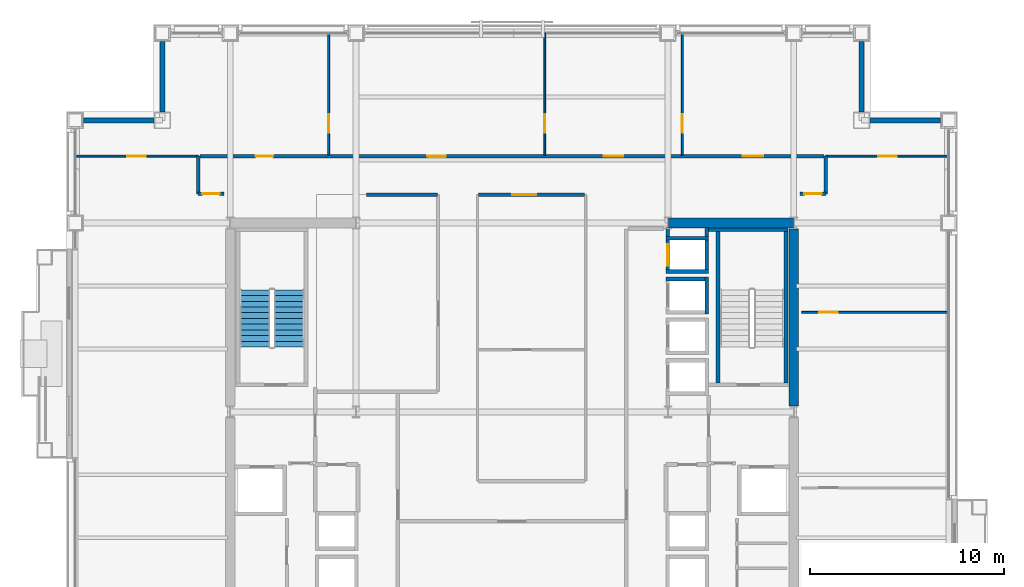
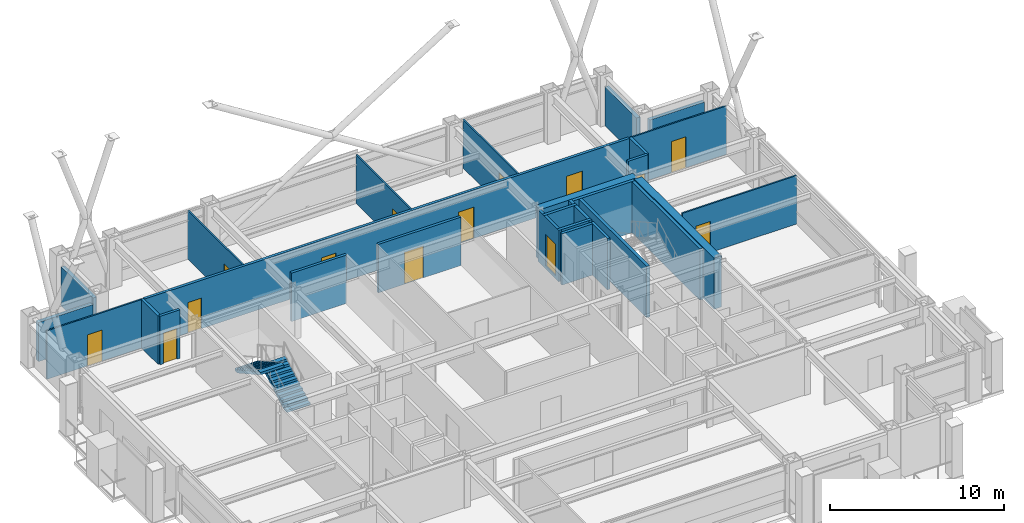
# One storey, part 28 of 32: 28 walls, 14 doors, 2 stair flights, 14 openings, 1 element without a shape of its own.
"""IFC4 building model written with IfcOpenShell, lengths in metres."""

from ifc_helpers import new_model, si_unit, direction, frame, frame_2d, origin, place, context, subcontext, project, spatial, polyline, rectangle, outline, extrude, material, layer, layer_set, type_object, element, fill, aggregate, save


model = new_model("IFC4")

# Units and contexts
model_context = context("Model", 3, precision=1e-05, world=origin(), true_north=direction((0.0, 1.0)))
body_context = subcontext(model_context, "Body", "Model", "MODEL_VIEW")
ifc_project = project(units=[si_unit("LENGTHUNIT", "METRE"), si_unit("AREAUNIT", "SQUARE_METRE"), si_unit("VOLUMEUNIT", "CUBIC_METRE"), si_unit("PLANEANGLEUNIT", "RADIAN"), si_unit("MASSUNIT", "GRAM", prefix="KILO")], contexts=[model_context])

# Site, building, storey
site_placement = place(None, origin())
site = spatial("IfcSite", under=ifc_project, at=site_placement, CompositionType="ELEMENT")
building_placement = place(site_placement, origin())
building = spatial("IfcBuilding", under=site, at=building_placement, Name="Brelmoor Portico Tower", CompositionType="ELEMENT")
storey_placement = place(building_placement, frame((0.0, 0.0, 109.800048828125)))
storey = spatial("IfcBuildingStorey", under=building, at=storey_placement, Name="L28", CompositionType="ELEMENT", Elevation=109.800048828125)

# Walls
ifc_material_1 = material(Name="Concrete C60", Category="concrete")
ifc_layer_1 = layer(ifc_material_1, 0.5)
ifc_layer_set_1 = layer_set([ifc_layer_1], Name="Concrete C60")
wall_type_1 = type_object("IfcWallType", Name="WL-CORE-500", PredefinedType="SHEAR", material=ifc_layer_set_1)
wall_1_placement = place(storey_placement, frame((8.070068359375, 9.75, -0.199951171875), z_axis=(0.0, 0.0, 1.0), x_axis=(1.0, 0.0, 0.0)))
element("IfcWall", 1, at=wall_1_placement, inside=storey, type_object=wall_type_1, Name="L28 EC North Shear Wall", PredefinedType="SHEAR", context=body_context, shape_type="SweptSolid", body=[
    extrude(rectangle(XDim=6.4599609375, YDim=0.5, at=frame_2d((3.22998046875, 0.0))), origin(), (0.0, 0.0, 1.0), 3.599853515625),
])
wall_2_placement = place(storey_placement, frame((14.550048828125, 0.300048828125, -0.199951171875), z_axis=(0.0, 0.0, 1.0), x_axis=(0.0, 1.0, 0.0)))
element("IfcWall", 2, at=wall_2_placement, inside=storey, type_object=wall_type_1, Name="L28 EC Outer North Shear Wall", PredefinedType="SHEAR", context=body_context, shape_type="SweptSolid", body=[
    extrude(rectangle(XDim=9.14990234375, YDim=0.5, at=frame_2d((4.574951171875, 0.0))), origin(), (0.0, 0.0, 1.0), 3.599853515625),
])
ifc_material_2 = material(Name="Precast Concrete C40 Insulated Facade Wall", Category="concrete")
ifc_layer_2 = layer(ifc_material_2, 0.25)
ifc_layer_set_2 = layer_set([ifc_layer_2], Name="Precast Concrete C40 Insulated Facade Wall")
wall_type_2 = type_object("IfcWallType", Name="WL-EXT-250", PredefinedType="STANDARD", material=ifc_layer_set_2)
for number, where, z_axis, x_axis, name in (
    (3, (-22.114990234375, 15.050048828125, 0.0), (0.0, 0.0, 1.0), (1.0, 0.0, 0.0), "L28 Corner Notch Facade Wall NNWH1"),
    (4, (-18.050048828125, 15.485107421875, 0.0), (0.0, 0.0, 1.0), (0.0, 1.0, 0.0), "L28 Corner Notch Facade Wall NNWV1"),
    (5, (18.485107421875, 15.050048828125, 0.0), (0.0, 0.0, 1.0), (1.0, 0.0, 0.0), "L28 Corner Notch Facade Wall NNEH1"),
    (6, (18.050048828125, 15.485107421875, 0.0), (0.0, 0.0, 1.0), (0.0, 1.0, 0.0), "L28 Corner Notch Facade Wall NNEV1"),
):
    element("IfcWall", number, at=place(storey_placement, frame(where, z_axis=z_axis, x_axis=x_axis)), inside=storey, type_object=wall_type_2, Name=name, PredefinedType="STANDARD", context=body_context, shape_type="SweptSolid", body=[
        extrude(rectangle(XDim=3.6298828125, YDim=0.25, at=frame_2d((1.81494140625, 0.0))), origin(), (0.0, 0.0, 1.0), 2.75),
    ])

# Wall, opening, door
ifc_material_3 = material(Name="Demountable Glazed Office Partition", Category="aluminium")
ifc_layer_3 = layer(ifc_material_3, 0.10009765625)
ifc_layer_set_3 = layer_set([ifc_layer_3], Name="Demountable Glazed Office Partition")
wall_type_3 = type_object("IfcWallType", Name="WL-PART-100", PredefinedType="PARTITIONING", material=ifc_layer_set_3)
wall_3_placement = place(storey_placement, frame((-9.469482421875, 13.260009765625, 0.0), z_axis=(0.0, 0.0, 1.0), x_axis=(0.0, 1.0, 0.0)))
wall_3 = element("IfcWall", 7, at=wall_3_placement, inside=storey, type_object=wall_type_3, Name="L28 North Suite Partition 1", PredefinedType="PARTITIONING", context=body_context, shape_type="SweptSolid", body=[
    extrude(rectangle(XDim=6.300048828125, YDim=0.10009765625, at=frame_2d((3.14990234375, 0.0))), origin(), (0.0, 0.0, 1.0), 3.39990234375),
])
opening_1_placement = place(wall_3_placement, frame((1.14990234375, 0.0, 0.0)))
opening_1 = element("IfcOpeningElement", 8, at=opening_1_placement, cuts=wall_3, Name="Opening D-IN2", PredefinedType="OPENING", context=body_context, shape_type="SweptSolid", body=[
    extrude(rectangle(XDim=0.9599609375, YDim=2.179931640625, at=frame_2d((0.47998046875, 1.08984375))), frame((0.0, 0.06005859375, 0.0), z_axis=(0.0, -1.0, 0.0), x_axis=(1.0, 0.0, 0.0)), (0.0, 0.0, 1.0), 0.1201171875),
])
ifc_material_4 = material(Name="Lacquered Timber Suite Door", Category="wood")
door_type_1 = type_object("IfcDoorType", Name="DR-INT-950", OperationType="NOTDEFINED", PredefinedType="DOOR", material=ifc_material_4)
door_1_placement = place(opening_1_placement, origin())
door_1 = element("IfcDoor", 9, at=door_1_placement, inside=storey, type_object=door_type_1, Name="D-1239 L28 North Suite Connecting Door 1", OperationType="SINGLE_SWING_LEFT", OverallHeight=2.179931640625, OverallWidth=0.9599609375, PredefinedType="DOOR", context=body_context, shape_type="SweptSolid", body=[
    extrude(rectangle(XDim=0.9599609375, YDim=2.179931640625, at=frame_2d((0.47998046875, 1.08984375))), frame((0.0, 0.02490234375, 0.0), z_axis=(0.0, -1.0, 0.0), x_axis=(1.0, 0.0, 0.0)), (0.0, 0.0, 1.0), 0.050048828125),
])
fill(opening_1, door_1)

wall_4_placement = place(storey_placement, frame((1.69091796875, 13.260009765625, 0.0), z_axis=(0.0, 0.0, 1.0), x_axis=(0.0, 1.0, 0.0)))
wall_4 = element("IfcWall", 10, at=wall_4_placement, inside=storey, type_object=wall_type_3, Name="L28 North Suite Partition 2", PredefinedType="PARTITIONING", context=body_context, shape_type="SweptSolid", body=[
    extrude(rectangle(XDim=6.300048828125, YDim=0.10009765625, at=frame_2d((3.14990234375, 0.0))), origin(), (0.0, 0.0, 1.0), 3.39990234375),
])
opening_2_placement = place(wall_4_placement, frame((1.14990234375, 0.0, 0.0)))
opening_2 = element("IfcOpeningElement", 11, at=opening_2_placement, cuts=wall_4, Name="Opening D-IN2", PredefinedType="OPENING", context=body_context, shape_type="SweptSolid", body=[
    extrude(rectangle(XDim=0.9599609375, YDim=2.179931640625, at=frame_2d((0.47998046875, 1.08984375))), frame((0.0, 0.06005859375, 0.0), z_axis=(0.0, -1.0, 0.0), x_axis=(1.0, 0.0, 0.0)), (0.0, 0.0, 1.0), 0.1201171875),
])
door_2_placement = place(opening_2_placement, origin())
door_2 = element("IfcDoor", 12, at=door_2_placement, inside=storey, type_object=door_type_1, Name="D-1240 L28 North Suite Connecting Door 2", OperationType="SINGLE_SWING_RIGHT", OverallHeight=2.179931640625, OverallWidth=0.9599609375, PredefinedType="DOOR", context=body_context, shape_type="SweptSolid", body=[
    extrude(rectangle(XDim=0.9599609375, YDim=2.179931640625, at=frame_2d((0.47998046875, 1.08984375))), frame((0.0, 0.02490234375, 0.0), z_axis=(0.0, -1.0, 0.0), x_axis=(1.0, 0.0, 0.0)), (0.0, 0.0, 1.0), 0.050048828125),
])
fill(opening_2, door_2)

wall_5_placement = place(storey_placement, frame((8.793212890625, 13.260009765625, 0.0), z_axis=(0.0, 0.0, 1.0), x_axis=(0.0, 1.0, 0.0)))
wall_5 = element("IfcWall", 13, at=wall_5_placement, inside=storey, type_object=wall_type_3, Name="L28 North Suite Partition 3", PredefinedType="PARTITIONING", context=body_context, shape_type="SweptSolid", body=[
    extrude(rectangle(XDim=6.300048828125, YDim=0.10009765625, at=frame_2d((3.14990234375, 0.0))), origin(), (0.0, 0.0, 1.0), 3.39990234375),
])
opening_3_placement = place(wall_5_placement, frame((1.14990234375, 0.0, 0.0)))
opening_3 = element("IfcOpeningElement", 14, at=opening_3_placement, cuts=wall_5, Name="Opening D-IN2", PredefinedType="OPENING", context=body_context, shape_type="SweptSolid", body=[
    extrude(rectangle(XDim=0.9599609375, YDim=2.179931640625, at=frame_2d((0.47998046875, 1.08984375))), frame((0.0, 0.06005859375, 0.0), z_axis=(0.0, -1.0, 0.0), x_axis=(1.0, 0.0, 0.0)), (0.0, 0.0, 1.0), 0.1201171875),
])
door_3_placement = place(opening_3_placement, origin())
door_3 = element("IfcDoor", 15, at=door_3_placement, inside=storey, type_object=door_type_1, Name="D-1241 L28 North Suite Connecting Door 3", OperationType="SINGLE_SWING_LEFT", OverallHeight=2.179931640625, OverallWidth=0.9599609375, PredefinedType="DOOR", context=body_context, shape_type="SweptSolid", body=[
    extrude(rectangle(XDim=0.9599609375, YDim=2.179931640625, at=frame_2d((0.47998046875, 1.08984375))), frame((0.0, 0.02490234375, 0.0), z_axis=(0.0, -1.0, 0.0), x_axis=(1.0, 0.0, 0.0)), (0.0, 0.0, 1.0), 0.050048828125),
])
fill(opening_3, door_3)

wall_6_placement = place(storey_placement, frame((-22.56005859375, 13.199951171875, 0.0), z_axis=(0.0, 0.0, 1.0), x_axis=(1.0, 0.0, 0.0)))
wall_6 = element("IfcWall", 16, at=wall_6_placement, inside=storey, type_object=wall_type_3, Name="L28 North Wing Closure WL", PredefinedType="PARTITIONING", context=body_context, shape_type="SweptSolid", body=[
    extrude(rectangle(XDim=6.360107421875, YDim=0.10009765625, at=frame_2d((3.18017578125, 0.0))), origin(), (0.0, 0.0, 1.0), 3.39990234375),
])
opening_4_placement = place(wall_6_placement, frame((2.699951171875, 0.0, 0.0)))
opening_4 = element("IfcOpeningElement", 17, at=opening_4_placement, cuts=wall_6, Name="Opening D-IN2", PredefinedType="OPENING", context=body_context, shape_type="SweptSolid", body=[
    extrude(rectangle(XDim=0.9599609375, YDim=2.179931640625, at=frame_2d((0.47998046875, 1.08984375))), frame((0.0, 0.06005859375, 0.0), z_axis=(0.0, -1.0, 0.0), x_axis=(1.0, 0.0, 0.0)), (0.0, 0.0, 1.0), 0.1201171875),
])
door_4_placement = place(opening_4_placement, origin())
door_4 = element("IfcDoor", 18, at=door_4_placement, inside=storey, type_object=door_type_1, Name="D-1243 L28 WL Wing North Suite Door", OperationType="SINGLE_SWING_RIGHT", OverallHeight=2.179931640625, OverallWidth=0.9599609375, PredefinedType="DOOR", context=body_context, shape_type="SweptSolid", body=[
    extrude(rectangle(XDim=0.9599609375, YDim=2.179931640625, at=frame_2d((0.47998046875, 1.08984375))), frame((0.0, 0.02490234375, 0.0), z_axis=(0.0, -1.0, 0.0), x_axis=(1.0, 0.0, 0.0)), (0.0, 0.0, 1.0), 0.050048828125),
])
fill(opening_4, door_4)

wall_7_placement = place(storey_placement, frame((16.199951171875, 13.199951171875, 0.0), z_axis=(0.0, 0.0, 1.0), x_axis=(1.0, 0.0, 0.0)))
wall_7 = element("IfcWall", 19, at=wall_7_placement, inside=storey, type_object=wall_type_3, Name="L28 North Wing Closure ER", PredefinedType="PARTITIONING", context=body_context, shape_type="SweptSolid", body=[
    extrude(rectangle(XDim=6.360107421875, YDim=0.10009765625, at=frame_2d((3.18017578125, 0.0))), origin(), (0.0, 0.0, 1.0), 3.39990234375),
])
opening_5_placement = place(wall_7_placement, frame((2.699951171875, 0.0, 0.0)))
opening_5 = element("IfcOpeningElement", 20, at=opening_5_placement, cuts=wall_7, Name="Opening D-IN2", PredefinedType="OPENING", context=body_context, shape_type="SweptSolid", body=[
    extrude(rectangle(XDim=0.9599609375, YDim=2.179931640625, at=frame_2d((0.47998046875, 1.08984375))), frame((0.0, 0.06005859375, 0.0), z_axis=(0.0, -1.0, 0.0), x_axis=(1.0, 0.0, 0.0)), (0.0, 0.0, 1.0), 0.1201171875),
])
door_5_placement = place(opening_5_placement, origin())
door_5 = element("IfcDoor", 21, at=door_5_placement, inside=storey, type_object=door_type_1, Name="D-1242 L28 ER Wing North Suite Door", OperationType="SINGLE_SWING_LEFT", OverallHeight=2.179931640625, OverallWidth=0.9599609375, PredefinedType="DOOR", context=body_context, shape_type="SweptSolid", body=[
    extrude(rectangle(XDim=0.9599609375, YDim=2.179931640625, at=frame_2d((0.47998046875, 1.08984375))), frame((0.0, 0.02490234375, 0.0), z_axis=(0.0, -1.0, 0.0), x_axis=(1.0, 0.0, 0.0)), (0.0, 0.0, 1.0), 0.050048828125),
])
fill(opening_5, door_5)

wall_8_placement = place(storey_placement, frame((14.9599609375, 5.13427734375, 0.0), z_axis=(0.0, 0.0, 1.0), x_axis=(1.0, 0.0, 0.0)))
wall_8 = element("IfcWall", 22, at=wall_8_placement, inside=storey, type_object=wall_type_3, Name="L28 E Wing Partition 2", PredefinedType="PARTITIONING", context=body_context, shape_type="SweptSolid", body=[
    extrude(rectangle(XDim=7.60009765625, YDim=0.10009765625, at=frame_2d((3.800048828125, 0.0))), origin(), (0.0, 0.0, 1.0), 3.39990234375),
])
opening_6_placement = place(wall_8_placement, frame((0.89990234375, 0.0, 0.0)))
opening_6 = element("IfcOpeningElement", 23, at=opening_6_placement, cuts=wall_8, Name="Opening D-IN2", PredefinedType="OPENING", context=body_context, shape_type="SweptSolid", body=[
    extrude(rectangle(XDim=0.9599609375, YDim=2.179931640625, at=frame_2d((0.47998046875, 1.08984375))), frame((0.0, 0.06005859375, 0.0), z_axis=(0.0, -1.0, 0.0), x_axis=(1.0, 0.0, 0.0)), (0.0, 0.0, 1.0), 0.1201171875),
])
door_6_placement = place(opening_6_placement, origin())
door_6 = element("IfcDoor", 24, at=door_6_placement, inside=storey, type_object=door_type_1, Name="D-1255 L28 E Wing Suite Connecting Door 2", OperationType="SINGLE_SWING_LEFT", OverallHeight=2.179931640625, OverallWidth=0.9599609375, PredefinedType="DOOR", context=body_context, shape_type="SweptSolid", body=[
    extrude(rectangle(XDim=0.9599609375, YDim=2.179931640625, at=frame_2d((0.47998046875, 1.08984375))), frame((0.0, 0.02490234375, 0.0), z_axis=(0.0, -1.0, 0.0), x_axis=(1.0, 0.0, 0.0)), (0.0, 0.0, 1.0), 0.050048828125),
])
fill(opening_6, door_6)

# Wall
ifc_material_5 = material(Name="Acoustic Corridor Fire Partition", Category="gypsum")
ifc_layer_4 = layer(ifc_material_5, 0.179931640625)
ifc_layer_set_4 = layer_set([ifc_layer_4], Name="Acoustic Corridor Fire Partition")
wall_type_4 = type_object("IfcWallType", Name="WL-PART-180", PredefinedType="PARTITIONING", material=ifc_layer_set_4)
wall_9_placement = place(storey_placement, frame((-7.5, 11.219970703125, 0.0), z_axis=(0.0, 0.0, 1.0), x_axis=(1.0, 0.0, 0.0)))
element("IfcWall", 25, at=wall_9_placement, inside=storey, type_object=wall_type_4, Name="L28 Reclaimed West Suite North Wall", PredefinedType="PARTITIONING", context=body_context, shape_type="SweptSolid", body=[
    extrude(rectangle(XDim=3.659912109375, YDim=0.179931640625, at=frame_2d((1.830078125, 0.0))), origin(), (0.0, 0.0, 1.0), 3.39990234375),
])

# Wall, opening, door
wall_10_placement = place(storey_placement, frame((-1.72998046875, 11.219970703125, 0.0), z_axis=(0.0, 0.0, 1.0), x_axis=(1.0, 0.0, 0.0)))
wall_10 = element("IfcWall", 26, at=wall_10_placement, inside=storey, type_object=wall_type_4, Name="L28 Central Meeting North Wall", PredefinedType="PARTITIONING", context=body_context, shape_type="SweptSolid", body=[
    extrude(rectangle(XDim=5.47998046875, YDim=0.179931640625, at=frame_2d((2.739990234375, 0.0))), origin(), (0.0, 0.0, 1.0), 3.39990234375),
])
opening_7_placement = place(wall_10_placement, frame((1.75, 0.0, 0.0)))
opening_7 = element("IfcOpeningElement", 27, at=opening_7_placement, cuts=wall_10, Name="Opening D-SU1", PredefinedType="OPENING", context=body_context, shape_type="SweptSolid", body=[
    extrude(rectangle(XDim=1.239990234375, YDim=2.239990234375, at=frame_2d((0.6201171875, 1.1201171875))), frame((0.0, 0.099853515625, 0.0), z_axis=(0.0, -1.0, 0.0), x_axis=(1.0, 0.0, 0.0)), (0.0, 0.0, 1.0), 0.199951171875),
])
ifc_material_6 = material(Name="Glazed Timber Executive Suite Door", Category="wood")
door_type_2 = type_object("IfcDoorType", Name="DR-SUITE-1200", OperationType="NOTDEFINED", PredefinedType="DOOR", material=ifc_material_6)
door_7_placement = place(opening_7_placement, origin())
door_7 = element("IfcDoor", 28, at=door_7_placement, inside=storey, type_object=door_type_2, Name="D-1222 L28 Client Meeting Room Door", OperationType="SINGLE_SWING_RIGHT", OverallHeight=2.239990234375, OverallWidth=1.239990234375, PredefinedType="DOOR", context=body_context, shape_type="SweptSolid", body=[
    extrude(rectangle(XDim=1.239990234375, YDim=2.239990234375, at=frame_2d((0.6201171875, 1.1201171875))), frame((0.0, 0.02490234375, 0.0), z_axis=(0.0, -1.0, 0.0), x_axis=(1.0, 0.0, 0.0)), (0.0, 0.0, 1.0), 0.050048828125),
])
fill(opening_7, door_7)

# Wall, openings, doors
wall_11_placement = place(storey_placement, frame((-16.10009765625, 13.199951171875, 0.0), z_axis=(0.0, 0.0, 1.0), x_axis=(1.0, 0.0, 0.0)))
wall_11 = element("IfcWall", 29, at=wall_11_placement, inside=storey, type_object=wall_type_4, Name="L28 North Corridor Partition", PredefinedType="PARTITIONING", context=body_context, shape_type="SweptSolid", body=[
    extrude(rectangle(XDim=32.2001953125, YDim=0.179931640625, at=frame_2d((16.10009765625, 0.0))), origin(), (0.0, 0.0, 1.0), 3.39990234375),
])
opening_8_placement = place(wall_11_placement, frame((2.865234375, 0.0, 0.0)))
opening_8 = element("IfcOpeningElement", 30, at=opening_8_placement, cuts=wall_11, Name="Opening D-IN1", PredefinedType="OPENING", context=body_context, shape_type="SweptSolid", body=[
    extrude(rectangle(XDim=0.89990234375, YDim=2.14990234375, at=frame_2d((0.449951171875, 1.074951171875))), frame((0.0, 0.099853515625, 0.0), z_axis=(0.0, -1.0, 0.0), x_axis=(1.0, 0.0, 0.0)), (0.0, 0.0, 1.0), 0.199951171875),
])
opening_9_placement = place(wall_11_placement, frame((11.730712890625, 0.0, 0.0)))
opening_9 = element("IfcOpeningElement", 31, at=opening_9_placement, cuts=wall_11, Name="Opening D-IN2", PredefinedType="OPENING", context=body_context, shape_type="SweptSolid", body=[
    extrude(rectangle(XDim=0.9599609375, YDim=2.179931640625, at=frame_2d((0.47998046875, 1.08984375))), frame((0.0, 0.099853515625, 0.0), z_axis=(0.0, -1.0, 0.0), x_axis=(1.0, 0.0, 0.0)), (0.0, 0.0, 1.0), 0.199951171875),
])
opening_10_placement = place(wall_11_placement, frame((20.83203125, 0.0, 0.0)))
opening_10 = element("IfcOpeningElement", 32, at=opening_10_placement, cuts=wall_11, Name="Opening D-OF1", PredefinedType="OPENING", context=body_context, shape_type="SweptSolid", body=[
    extrude(rectangle(XDim=1.02001953125, YDim=2.199951171875, at=frame_2d((0.510009765625, 1.10009765625))), frame((0.0, 0.099853515625, 0.0), z_axis=(0.0, -1.0, 0.0), x_axis=(1.0, 0.0, 0.0)), (0.0, 0.0, 1.0), 0.199951171875),
])
opening_11_placement = place(wall_11_placement, frame((28.0166015625, 0.0, 0.0)))
opening_11 = element("IfcOpeningElement", 33, at=opening_11_placement, cuts=wall_11, Name="Opening D-OF2", PredefinedType="OPENING", context=body_context, shape_type="SweptSolid", body=[
    extrude(rectangle(XDim=1.06005859375, YDim=2.199951171875, at=frame_2d((0.530029296875, 1.10009765625))), frame((0.0, 0.099853515625, 0.0), z_axis=(0.0, -1.0, 0.0), x_axis=(1.0, 0.0, 0.0)), (0.0, 0.0, 1.0), 0.199951171875),
])
door_type_3 = type_object("IfcDoorType", Name="DR-INT-900", OperationType="NOTDEFINED", PredefinedType="DOOR", material=ifc_material_4)
door_8_placement = place(opening_8_placement, origin())
door_8 = element("IfcDoor", 34, at=door_8_placement, inside=storey, type_object=door_type_3, Name="D-1235 L28 North Partner Cellular Office 1 Door", OperationType="SINGLE_SWING_RIGHT", OverallHeight=2.14990234375, OverallWidth=0.89990234375, PredefinedType="DOOR", context=body_context, shape_type="SweptSolid", body=[
    extrude(rectangle(XDim=0.89990234375, YDim=2.14990234375, at=frame_2d((0.449951171875, 1.074951171875))), frame((0.0, 0.02490234375, 0.0), z_axis=(0.0, -1.0, 0.0), x_axis=(1.0, 0.0, 0.0)), (0.0, 0.0, 1.0), 0.050048828125),
])
fill(opening_8, door_8)
door_9_placement = place(opening_9_placement, origin())
door_9 = element("IfcDoor", 35, at=door_9_placement, inside=storey, type_object=door_type_1, Name="D-1236 L28 North Project Mail Room 2 Door", OperationType="SINGLE_SWING_LEFT", OverallHeight=2.179931640625, OverallWidth=0.9599609375, PredefinedType="DOOR", context=body_context, shape_type="SweptSolid", body=[
    extrude(rectangle(XDim=0.9599609375, YDim=2.179931640625, at=frame_2d((0.47998046875, 1.08984375))), frame((0.0, 0.02490234375, 0.0), z_axis=(0.0, -1.0, 0.0), x_axis=(1.0, 0.0, 0.0)), (0.0, 0.0, 1.0), 0.050048828125),
])
fill(opening_9, door_9)
ifc_material_7 = material(Name="Hardwood Acoustic Veneer Door", Category="wood")
door_type_4 = type_object("IfcDoorType", Name="DR-OFFICE-1000", OperationType="NOTDEFINED", PredefinedType="DOOR", material=ifc_material_7)
door_10_placement = place(opening_10_placement, origin())
door_10 = element("IfcDoor", 36, at=door_10_placement, inside=storey, type_object=door_type_4, Name="D-1237 L28 North Design Workshop 3 Door", OperationType="SINGLE_SWING_RIGHT", OverallHeight=2.199951171875, OverallWidth=1.02001953125, PredefinedType="DOOR", context=body_context, shape_type="SweptSolid", body=[
    extrude(rectangle(XDim=1.02001953125, YDim=2.199951171875, at=frame_2d((0.510009765625, 1.10009765625))), frame((0.0, 0.02490234375, 0.0), z_axis=(0.0, -1.0, 0.0), x_axis=(1.0, 0.0, 0.0)), (0.0, 0.0, 1.0), 0.050048828125),
])
fill(opening_10, door_10)
door_type_5 = type_object("IfcDoorType", Name="DR-OFFICE-1050", OperationType="NOTDEFINED", PredefinedType="DOOR", material=ifc_material_7)
door_11_placement = place(opening_11_placement, origin())
door_11 = element("IfcDoor", 37, at=door_11_placement, inside=storey, type_object=door_type_5, Name="D-1238 L28 North Client Reception Room 4 Door", OperationType="SINGLE_SWING_LEFT", OverallHeight=2.199951171875, OverallWidth=1.06005859375, PredefinedType="DOOR", context=body_context, shape_type="SweptSolid", body=[
    extrude(rectangle(XDim=1.06005859375, YDim=2.199951171875, at=frame_2d((0.530029296875, 1.10009765625))), frame((0.0, 0.02490234375, 0.0), z_axis=(0.0, -1.0, 0.0), x_axis=(1.0, 0.0, 0.0)), (0.0, 0.0, 1.0), 0.050048828125),
])
fill(opening_11, door_11)

# Wall, opening, door
wall_12_placement = place(storey_placement, frame((-16.199951171875, 11.25, 0.0), z_axis=(0.0, 0.0, 1.0), x_axis=(1.0, 0.0, 0.0)))
wall_12 = element("IfcWall", 38, at=wall_12_placement, inside=storey, type_object=wall_type_4, Name="L28 W Wing North Entry Wall", PredefinedType="PARTITIONING", context=body_context, shape_type="SweptSolid", body=[
    extrude(rectangle(XDim=1.320068359375, YDim=0.179931640625, at=frame_2d((0.66015625, 0.0))), origin(), (0.0, 0.0, 1.0), 3.39990234375),
])
opening_12_placement = place(wall_12_placement, frame((0.2099609375, 0.0, 0.0)))
opening_12 = element("IfcOpeningElement", 39, at=opening_12_placement, cuts=wall_12, Name="Opening D-IN1", PredefinedType="OPENING", context=body_context, shape_type="SweptSolid", body=[
    extrude(rectangle(XDim=0.89990234375, YDim=2.14990234375, at=frame_2d((0.449951171875, 1.074951171875))), frame((0.0, 0.099853515625, 0.0), z_axis=(0.0, -1.0, 0.0), x_axis=(1.0, 0.0, 0.0)), (0.0, 0.0, 1.0), 0.199951171875),
])
door_12_placement = place(opening_12_placement, origin())
door_12 = element("IfcDoor", 40, at=door_12_placement, inside=storey, type_object=door_type_3, Name="D-1257 L28 W Wing Entry Door", OperationType="SINGLE_SWING_RIGHT", OverallHeight=2.14990234375, OverallWidth=0.89990234375, PredefinedType="DOOR", context=body_context, shape_type="SweptSolid", body=[
    extrude(rectangle(XDim=0.89990234375, YDim=2.14990234375, at=frame_2d((0.449951171875, 1.074951171875))), frame((0.0, 0.02490234375, 0.0), z_axis=(0.0, -1.0, 0.0), x_axis=(1.0, 0.0, 0.0)), (0.0, 0.0, 1.0), 0.050048828125),
])
fill(opening_12, door_12)

# Wall
wall_13_placement = place(storey_placement, frame((-16.199951171875, 11.25, 0.0), z_axis=(0.0, 0.0, 1.0), x_axis=(0.0, 1.0, 0.0)))
element("IfcWall", 41, at=wall_13_placement, inside=storey, type_object=wall_type_4, Name="L28 W Corridor End Closure", PredefinedType="PARTITIONING", context=body_context, shape_type="SweptSolid", body=[
    extrude(rectangle(XDim=1.949951171875, YDim=0.179931640625, at=frame_2d((0.97509765625, 0.0))), origin(), (0.0, 0.0, 1.0), 3.39990234375),
])

# Wall, opening, door
wall_14_placement = place(storey_placement, frame((14.8798828125, 11.25, 0.0), z_axis=(0.0, 0.0, 1.0), x_axis=(1.0, 0.0, 0.0)))
wall_14 = element("IfcWall", 42, at=wall_14_placement, inside=storey, type_object=wall_type_4, Name="L28 E Wing North Entry Wall", PredefinedType="PARTITIONING", context=body_context, shape_type="SweptSolid", body=[
    extrude(rectangle(XDim=1.320068359375, YDim=0.179931640625, at=frame_2d((0.66015625, 0.0))), origin(), (0.0, 0.0, 1.0), 3.39990234375),
])
opening_13_placement = place(wall_14_placement, frame((0.2099609375, 0.0, 0.0)))
opening_13 = element("IfcOpeningElement", 43, at=opening_13_placement, cuts=wall_14, Name="Opening D-IN1", PredefinedType="OPENING", context=body_context, shape_type="SweptSolid", body=[
    extrude(rectangle(XDim=0.89990234375, YDim=2.14990234375, at=frame_2d((0.449951171875, 1.074951171875))), frame((0.0, 0.099853515625, 0.0), z_axis=(0.0, -1.0, 0.0), x_axis=(1.0, 0.0, 0.0)), (0.0, 0.0, 1.0), 0.199951171875),
])
door_13_placement = place(opening_13_placement, origin())
door_13 = element("IfcDoor", 44, at=door_13_placement, inside=storey, type_object=door_type_3, Name="D-1256 L28 E Wing Entry Door", OperationType="SINGLE_SWING_LEFT", OverallHeight=2.14990234375, OverallWidth=0.89990234375, PredefinedType="DOOR", context=body_context, shape_type="SweptSolid", body=[
    extrude(rectangle(XDim=0.89990234375, YDim=2.14990234375, at=frame_2d((0.449951171875, 1.074951171875))), frame((0.0, 0.02490234375, 0.0), z_axis=(0.0, -1.0, 0.0), x_axis=(1.0, 0.0, 0.0)), (0.0, 0.0, 1.0), 0.050048828125),
])
fill(opening_13, door_13)

# Walls
wall_15_placement = place(storey_placement, frame((16.199951171875, 11.25, 0.0), z_axis=(0.0, 0.0, 1.0), x_axis=(0.0, 1.0, 0.0)))
element("IfcWall", 45, at=wall_15_placement, inside=storey, type_object=wall_type_4, Name="L28 E Corridor End Closure", PredefinedType="PARTITIONING", context=body_context, shape_type="SweptSolid", body=[
    extrude(rectangle(XDim=1.949951171875, YDim=0.179931640625, at=frame_2d((0.97509765625, 0.0))), origin(), (0.0, 0.0, 1.0), 3.39990234375),
])
ifc_material_8 = material(Name="Precast Concrete C40", Category="concrete")
ifc_layer_5 = layer(ifc_material_8, 0.18994140625)
ifc_layer_set_5 = layer_set([ifc_layer_5], Name="Precast Concrete C40")
wall_type_5 = type_object("IfcWallType", Name="WL-SHAFT-180", PredefinedType="SOLIDWALL", material=ifc_layer_set_5)
wall_16_placement = place(storey_placement, frame((10.054931640625, 5.050048828125, -0.199951171875), z_axis=(0.0, 0.0, 1.0), x_axis=(0.0, 1.0, 0.0)))
element("IfcWall", 46, at=wall_16_placement, inside=storey, type_object=wall_type_5, Name="L28 Lift PM3 Hoistway Back Wall", PredefinedType="SOLIDWALL", context=body_context, shape_type="SweptSolid", body=[
    extrude(rectangle(XDim=1.89990234375, YDim=0.18994140625, at=frame_2d((0.949951171875, 0.0))), origin(), (0.0, 0.0, 1.0), 3.599853515625),
])
wall_17_placement = place(storey_placement, frame((7.949951171875, 6.85498046875, -0.199951171875), z_axis=(0.0, 0.0, 1.0), x_axis=(1.0, 0.0, 0.0)))
element("IfcWall", 47, at=wall_17_placement, inside=storey, type_object=wall_type_5, Name="L28 Lift PM3 Hoistway North Wall", PredefinedType="SOLIDWALL", context=body_context, shape_type="SweptSolid", body=[
    extrude(rectangle(XDim=2.199951171875, YDim=0.18994140625, at=frame_2d((1.10009765625, 0.0))), origin(), (0.0, 0.0, 1.0), 3.599853515625),
])

# Wall, opening, door
wall_18_placement = place(storey_placement, frame((8.044921875, 7.14990234375, -0.199951171875), z_axis=(0.0, 0.0, 1.0), x_axis=(0.0, 1.0, 0.0)))
wall_18 = element("IfcWall", 48, at=wall_18_placement, inside=storey, type_object=wall_type_5, Name="L28 Lift PM4 Hoistway Front Wall", PredefinedType="SOLIDWALL", context=body_context, shape_type="SweptSolid", body=[
    extrude(rectangle(XDim=2.3701171875, YDim=0.18994140625, at=frame_2d((1.18505859375, 0.0))), origin(), (0.0, 0.0, 1.0), 3.599853515625),
])
opening_14_placement = place(wall_18_placement, frame((0.39990234375, 0.0, 0.199951171875)))
opening_14 = element("IfcOpeningElement", 49, at=opening_14_placement, cuts=wall_18, Name="Opening LD-01", PredefinedType="OPENING", context=body_context, shape_type="SweptSolid", body=[
    extrude(rectangle(XDim=1.10009765625, YDim=2.199951171875, at=frame_2d((0.550048828125, 1.10009765625))), frame((0.0, 0.10498046875, 0.0), z_axis=(0.0, -1.0, 0.0), x_axis=(1.0, 0.0, 0.0)), (0.0, 0.0, 1.0), 0.2099609375),
])
ifc_material_9 = material(Name="Brushed Stainless Steel Sliding Lift Door", Category="steel")
door_type_6 = type_object("IfcDoorType", Name="DR-LIFT-1100", OperationType="NOTDEFINED", PredefinedType="DOOR", material=ifc_material_9)
door_14_placement = place(opening_14_placement, origin())
door_14 = element("IfcDoor", 50, at=door_14_placement, inside=storey, type_object=door_type_6, Name="D-1263 L28 Lift PM4 Sliding Landing Door", OperationType="SLIDING_TO_LEFT", OverallHeight=2.199951171875, OverallWidth=1.10009765625, PredefinedType="DOOR", context=body_context, shape_type="SweptSolid", body=[
    extrude(rectangle(XDim=1.10009765625, YDim=2.199951171875, at=frame_2d((0.550048828125, 1.10009765625))), frame((0.0, 0.02490234375, 0.0), z_axis=(0.0, -1.0, 0.0), x_axis=(1.0, 0.0, 0.0)), (0.0, 0.0, 1.0), 0.050048828125),
])
fill(opening_14, door_14)

# Walls
wall_19_placement = place(storey_placement, frame((10.054931640625, 7.14990234375, -0.199951171875), z_axis=(0.0, 0.0, 1.0), x_axis=(0.0, 1.0, 0.0)))
element("IfcWall", 51, at=wall_19_placement, inside=storey, type_object=wall_type_5, Name="L28 Lift PM4 Hoistway Back Wall", PredefinedType="SOLIDWALL", context=body_context, shape_type="SweptSolid", body=[
    extrude(rectangle(XDim=2.3701171875, YDim=0.18994140625, at=frame_2d((1.18505859375, 0.0))), origin(), (0.0, 0.0, 1.0), 3.599853515625),
])
for number, where, z_axis, x_axis, name in (
    (52, (7.949951171875, 8.955078125, -0.199951171875), (0.0, 0.0, 1.0), (1.0, 0.0, 0.0), "L28 Lift PM4 Hoistway North Wall"),
    (53, (7.949951171875, 7.2451171875, -0.199951171875), (0.0, 0.0, 1.0), (1.0, 0.0, 0.0), "L28 Lift PM4 Hoistway South Wall"),
):
    element("IfcWall", number, at=place(storey_placement, frame(where, z_axis=z_axis, x_axis=x_axis)), inside=storey, type_object=wall_type_5, Name=name, PredefinedType="SOLIDWALL", context=body_context, shape_type="SweptSolid", body=[
        extrude(rectangle(XDim=2.199951171875, YDim=0.18994140625, at=frame_2d((1.10009765625, 0.0))), origin(), (0.0, 0.0, 1.0), 3.599853515625),
    ])
ifc_material_10 = material(Name="Concrete C40", Category="concrete")
ifc_layer_6 = layer(ifc_material_10, 0.199951171875)
ifc_layer_set_6 = layer_set([ifc_layer_6], Name="Concrete C40")
wall_type_6 = type_object("IfcWallType", Name="WL-SHAFT-RC200", PredefinedType="SOLIDWALL", material=ifc_layer_set_6)
wall_20_placement = place(storey_placement, frame((14.14990234375, 1.5, -0.199951171875), z_axis=(0.0, 0.0, 1.0), x_axis=(0.0, 1.0, 0.0)))
element("IfcWall", 54, at=wall_20_placement, inside=storey, type_object=wall_type_6, Name="L28 ST-E Structural Stair Wall Outer", PredefinedType="SOLIDWALL", context=body_context, shape_type="SweptSolid", body=[
    extrude(rectangle(XDim=7.800048828125, YDim=0.199951171875, at=frame_2d((3.89990234375, 0.0))), origin(), (0.0, 0.0, 1.0), 3.599853515625),
])
wall_21_placement = place(storey_placement, frame((10.14990234375, 9.39990234375, -0.199951171875), z_axis=(0.0, 0.0, 1.0), x_axis=(1.0, 0.0, 0.0)))
element("IfcWall", 55, at=wall_21_placement, inside=storey, type_object=wall_type_6, Name="L28 ST-E Structural Stair Wall N", PredefinedType="SOLIDWALL", context=body_context, shape_type="SweptSolid", body=[
    extrude(rectangle(XDim=4.10009765625, YDim=0.199951171875, at=frame_2d((2.050048828125, 0.0))), origin(), (0.0, 0.0, 1.0), 3.599853515625),
])
wall_22_placement = place(storey_placement, frame((10.6298828125, 1.5, -0.199951171875), z_axis=(0.0, 0.0, 1.0), x_axis=(0.0, 1.0, 0.0)))
element("IfcWall", 56, at=wall_22_placement, inside=storey, type_object=wall_type_6, Name="L28 ST-E Structural Stair Wall Inner", PredefinedType="SOLIDWALL", context=body_context, shape_type="SweptSolid", body=[
    extrude(rectangle(XDim=7.800048828125, YDim=0.199951171875, at=frame_2d((3.89990234375, 0.0))), origin(), (0.0, 0.0, 1.0), 3.599853515625),
])

# Stair, stair flights
stair_type = type_object("IfcStairType", Name="ST-CORE-W", PredefinedType="HALF_TURN_STAIR", material=ifc_material_10)
stair_placement = place(storey_placement, origin())
stair = element("IfcStair", 57, at=stair_placement, inside=storey, type_object=stair_type, Name="L28 Protected Core Exit Stair ST-W", PredefinedType="HALF_TURN_STAIR")
stair_flight_type = type_object("IfcStairFlightType", Name="SF-CORE-1850", PredefinedType="STRAIGHT", material=ifc_material_10)
stair_flight_1_placement = place(storey_placement, frame((-11.510009765625, 3.35009765625, 0.0), z_axis=(0.0, 0.0, 1.0), x_axis=(0.0, 1.0, 0.0)))
stair_flight_1 = element("IfcStairFlight", 58, at=stair_flight_1_placement, type_object=stair_flight_type, Name="ST-W flight 1", NumberOfRisers=11, NumberOfTreads=10, PredefinedType="STRAIGHT", RiserHeight=0.163636364, TreadLength=0.295, context=body_context, shape_type="SweptSolid", body=[
    extrude(outline(polyline([(0.0, 0.0), (0.0, 0.16357421875), (0.294921875, 0.16357421875), (0.294921875, 0.327392578125), (0.590087890625, 0.327392578125), (0.590087890625, 0.490966796875), (0.885009765625, 0.490966796875), (0.885009765625, 0.654541015625), (1.179931640625, 0.654541015625), (1.179931640625, 0.818115234375), (1.47509765625, 0.818115234375), (1.47509765625, 0.98193359375), (1.77001953125, 0.98193359375), (1.77001953125, 1.1455078125), (2.06494140625, 1.1455078125), (2.06494140625, 1.30908203125), (2.360107421875, 1.30908203125), (2.360107421875, 1.47265625), (2.655029296875, 1.47265625), (2.655029296875, 1.636474609375), (2.949951171875, 1.636474609375), (2.949951171875, 1.800048828125), (2.949951171875, 1.46484375), (0.30908203125, 0.0), (0.0, 0.0)])), frame((0.0, 0.780029296875, 0.0), z_axis=(0.0, -1.0, 0.0), x_axis=(1.0, 0.0, 0.0)), (0.0, 0.0, 1.0), 1.56005859375),
])
stair_flight_2_placement = place(storey_placement, frame((-13.27001953125, 6.300048828125, 1.800048828125), z_axis=(0.0, 0.0, 1.0), x_axis=(0.0, -1.0, 0.0)))
stair_flight_2 = element("IfcStairFlight", 59, at=stair_flight_2_placement, type_object=stair_flight_type, Name="ST-W flight 2", NumberOfRisers=11, NumberOfTreads=10, PredefinedType="STRAIGHT", RiserHeight=0.163636364, TreadLength=0.295, context=body_context, shape_type="SweptSolid", body=[
    extrude(outline(polyline([(0.0, 0.0), (0.0, 0.16357421875), (0.294921875, 0.16357421875), (0.294921875, 0.327392578125), (0.590087890625, 0.327392578125), (0.590087890625, 0.490966796875), (0.885009765625, 0.490966796875), (0.885009765625, 0.654541015625), (1.179931640625, 0.654541015625), (1.179931640625, 0.818115234375), (1.47509765625, 0.818115234375), (1.47509765625, 0.98193359375), (1.77001953125, 0.98193359375), (1.77001953125, 1.1455078125), (2.06494140625, 1.1455078125), (2.06494140625, 1.30908203125), (2.360107421875, 1.30908203125), (2.360107421875, 1.47265625), (2.655029296875, 1.47265625), (2.655029296875, 1.636474609375), (2.949951171875, 1.636474609375), (2.949951171875, 1.800048828125), (2.949951171875, 1.46484375), (0.30908203125, 0.0), (0.0, 0.0)])), frame((0.0, 0.780029296875, 0.0), z_axis=(0.0, -1.0, 0.0), x_axis=(1.0, 0.0, 0.0)), (0.0, 0.0, 1.0), 1.56005859375),
])
aggregate(stair, [stair_flight_1, stair_flight_2])

save(model, "model.ifc")
